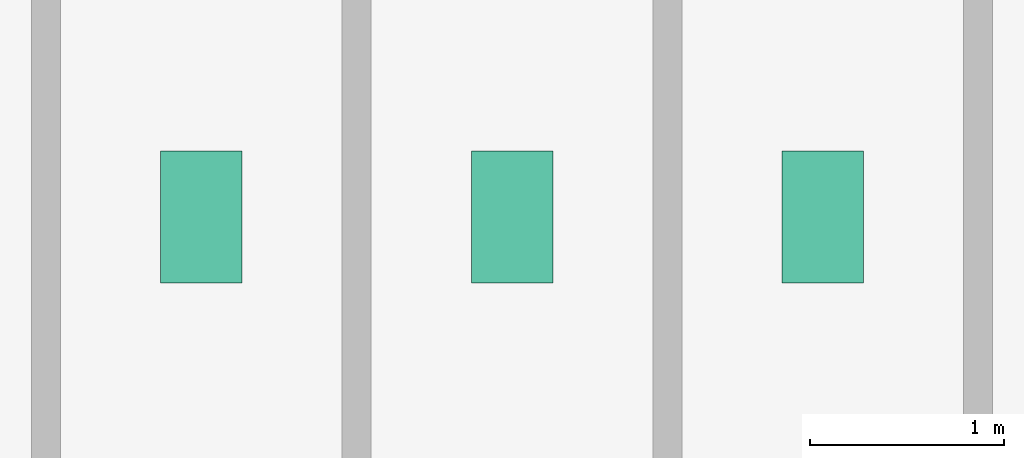
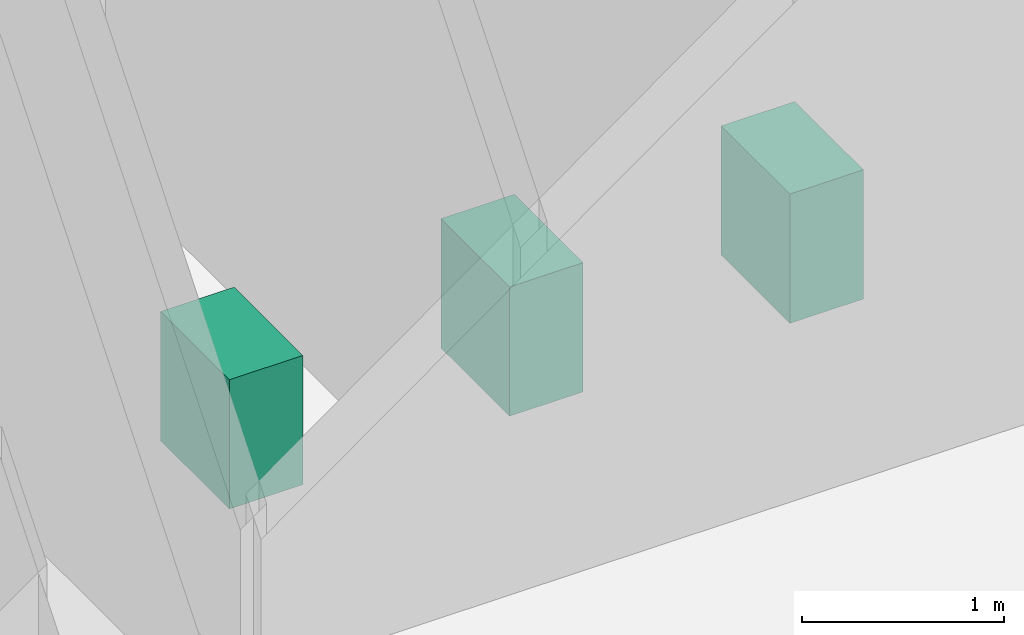
# One storey, part 22 of 22: 3 sanitary terminals.
"""IFC4 building model written with IfcOpenShell, lengths in metres."""

from ifc_helpers import new_model, si_unit, derived_unit, direction, frame, origin, origin_2d, place, context, subcontext, project, spatial, rectangle, extrude, source, transform, mapped, material, type_object, element, save


model = new_model("IFC4")

# Units and contexts
model_context = context("Model", 3, precision=1e-05, world=origin(), true_north=direction((0.0, 1.0)))
body_context = subcontext(model_context, "Body", "Model", "MODEL_VIEW")
ifc_project = project(units=[si_unit("LENGTHUNIT", "METRE"), si_unit("AREAUNIT", "SQUARE_METRE"), si_unit("VOLUMEUNIT", "CUBIC_METRE"), si_unit("PLANEANGLEUNIT", "RADIAN"), si_unit("MASSUNIT", "GRAM", prefix="KILO"), derived_unit("THERMALTRANSMITTANCEUNIT", [(si_unit("POWERUNIT", "WATT"), 1), (si_unit("LENGTHUNIT", "METRE"), -2), (si_unit("THERMODYNAMICTEMPERATUREUNIT", "KELVIN"), -1)])], contexts=[model_context])

# Site, building, storey
site_placement = place(None, origin())
site = spatial("IfcSite", under=ifc_project, at=site_placement, CompositionType="ELEMENT")
building_placement = place(site_placement, origin())
building = spatial("IfcBuilding", under=site, at=building_placement, Name="Skarnbrae Concourse Arena and Tower", CompositionType="ELEMENT")
storey_placement = place(building_placement, frame((0.0, 0.0, 228.75)))
storey = spatial("IfcBuildingStorey", under=building, at=storey_placement, Name="L59", CompositionType="ELEMENT", Elevation=228.75)

# Sanitary terminals
ifc_material = material(Name="Vitreous china sanitaryware", Category="other")
sanitary_terminal_type = type_object("IfcSanitaryTerminalType", Name="SAN-WC-VITREOUS", PredefinedType="TOILETPAN", material=ifc_material)
shared_shape = source(origin(), body_context, "Body", "SweptSolid", [
    extrude(rectangle(XDim=0.419921875, YDim=0.679931640625, at=origin_2d()), origin(), (0.0, 0.0, 1.0), 0.780029296875),
])
for number, where, z_axis, x_axis, name in (
    (1, (35.0, 11.39990234375, 0.0), (0.0, 0.0, 1.0), (1.0, 0.0, 0.0), "L59 Washroom WC fixture 1"),
    (2, (36.60009765625, 11.39990234375, 0.0), (0.0, 0.0, 1.0), (1.0, 0.0, 0.0), "L59 Washroom WC fixture 2"),
    (3, (38.199951171875, 11.39990234375, 0.0), (0.0, 0.0, 1.0), (1.0, 0.0, 0.0), "L59 Washroom WC fixture 3"),
):
    element("IfcSanitaryTerminal", number, at=place(storey_placement, frame(where, z_axis=z_axis, x_axis=x_axis)), inside=storey, type_object=sanitary_terminal_type, Name=name, PredefinedType="TOILETPAN", context=body_context, shape_type="MappedRepresentation", body=[
        mapped(shared_shape, transform((0.0, 0.0, 0.0))),
    ])

save(model, "model.ifc")
